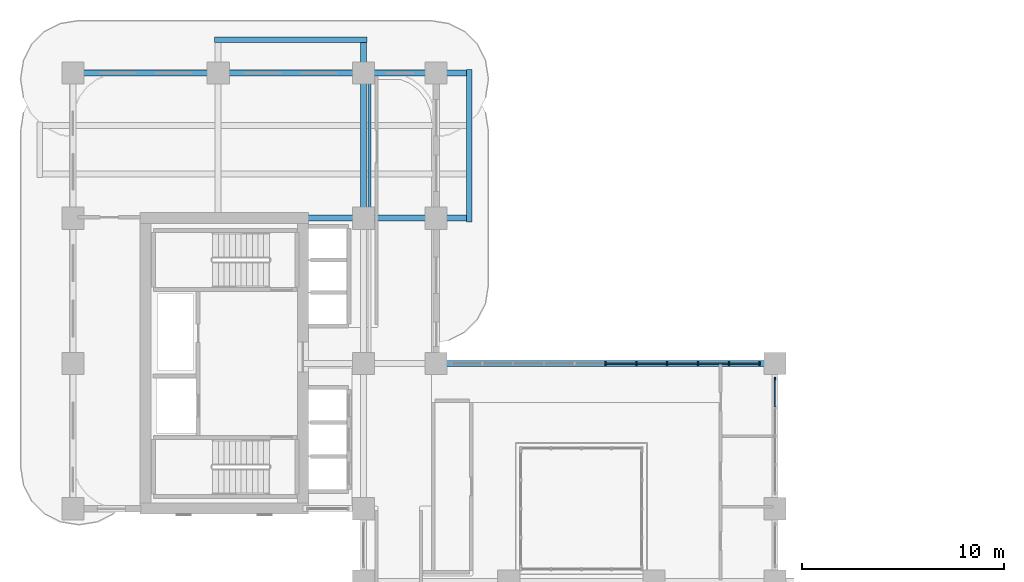
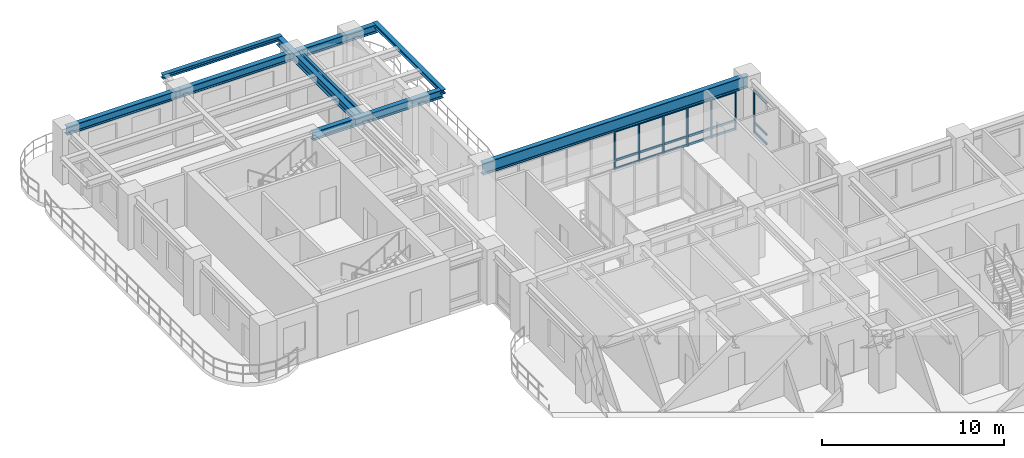
# One storey, part 7 of 22: 25 members, 8 beams, 2 elements without a shape of their own.
"""IFC4 building model written with IfcOpenShell, lengths in metres."""

from ifc_helpers import new_model, si_unit, derived_unit, direction, frame, origin, origin_2d, place, context, subcontext, project, spatial, rectangle, i_section, extrude, source, transform, mapped, material, layer, layer_set, material_profile, profile_set, type_object, type_shapes, element, aggregate, save


model = new_model("IFC4")

# Units and contexts
model_context = context("Model", 3, precision=1e-05, world=origin(), true_north=direction((0.0, 1.0)))
body_context = subcontext(model_context, "Body", "Model", "MODEL_VIEW")
ifc_project = project(units=[si_unit("LENGTHUNIT", "METRE"), si_unit("AREAUNIT", "SQUARE_METRE"), si_unit("VOLUMEUNIT", "CUBIC_METRE"), si_unit("PLANEANGLEUNIT", "RADIAN"), si_unit("MASSUNIT", "GRAM", prefix="KILO"), si_unit("THERMODYNAMICTEMPERATUREUNIT", "KELVIN"), si_unit("POWERUNIT", "WATT"), derived_unit("THERMALTRANSMITTANCEUNIT", [(si_unit("POWERUNIT", "WATT"), 1), (si_unit("AREAUNIT", "SQUARE_METRE"), -1), (si_unit("THERMODYNAMICTEMPERATUREUNIT", "KELVIN"), -1)])], contexts=[model_context])

# Site, building, storey
site_placement = place(None, origin())
site = spatial("IfcSite", under=ifc_project, at=site_placement, CompositionType="ELEMENT")
building_placement = place(site_placement, origin())
building = spatial("IfcBuilding", under=site, at=building_placement, Name="Zahravan Archway Hotel and Residences", CompositionType="ELEMENT")
storey_placement = place(building_placement, frame((0.0, 0.0, 99.0)))
storey = spatial("IfcBuildingStorey", under=building, at=storey_placement, Name="L24", CompositionType="ELEMENT", Elevation=99.0)

# Beams
ifc_material_1 = material(Name="Structural Steel S355JR", Category="steel")
ifc_material_profile_1 = material_profile(ifc_material_1, i_section(OverallWidth=0.280029296875, OverallDepth=0.280029296875, WebThickness=0.010498046875, FlangeThickness=0.01806640625, FilletRadius=0.02392578125, at=origin_2d()), Name="HEB 280", Category="steel")
ifc_profile_set_1 = profile_set([ifc_material_profile_1], Name="Structural Steel S355JR")
beam_type_1 = type_object("IfcBeamType", Name="BM-SPN-HEB280", PredefinedType="SPANDREL", material=ifc_profile_set_1)
shared_shape_1 = source(origin(), body_context, "Body", "SweptSolid", [
    extrude(i_section(OverallWidth=0.280029296875, OverallDepth=0.280029296875, WebThickness=0.010498046875, FlangeThickness=0.01806640625, FilletRadius=0.02392578125, at=origin_2d()), origin(), (0.0, 0.0, 1.0), 7.56005859375),
])
type_shapes(beam_type_1, [shared_shape_1])
for number, where, z_axis, x_axis, name in (
    (1, (19.64990234375, 39.419921875, 3.31005859375), (0.0, 1.0, 0.0), (-1.0, 0.0, 0.0), "L25 EB Balcony Edge Spandrel"),
    (2, (7.02001953125, 48.449951171875, 3.31005859375), (1.0, 0.0, 0.0), (0.0, 1.0, 0.0), "L25 NB Balcony Edge Spandrel"),
):
    element("IfcBeam", number, at=place(storey_placement, frame(where, z_axis=z_axis, x_axis=x_axis)), inside=storey, type_object=beam_type_1, Name=name, PredefinedType="SPANDREL", context=body_context, shape_type="MappedRepresentation", body=[
        mapped(shared_shape_1, transform((0.0, 0.0, 0.0), scale=1.0)),
    ])
ifc_material_profile_2 = material_profile(ifc_material_1, i_section(OverallWidth=0.300048828125, OverallDepth=0.550048828125, WebThickness=0.014892578125, FlangeThickness=0.029052734375, FilletRadius=0.027099609375, at=origin_2d()), Name="HEB 550", Category="steel")
ifc_profile_set_2 = profile_set([ifc_material_profile_2], Name="Structural Steel S355JR")
beam_type_2 = type_object("IfcBeamType", Name="BM-PRI-HEB550", PredefinedType="BEAM", material=ifc_profile_set_2)
shared_shape_2 = source(origin(), body_context, "Body", "SweptSolid", [
    extrude(i_section(OverallWidth=0.300048828125, OverallDepth=0.550048828125, WebThickness=0.014892578125, FlangeThickness=0.029052734375, FilletRadius=0.027099609375, at=origin_2d()), origin(), (0.0, 0.0, 1.0), 7.199951171875),
])
beam_1_placement = place(storey_placement, frame((0.0, 46.800048828125, 3.175048828125), z_axis=(1.0, 0.0, 0.0), x_axis=(0.0, 1.0, 0.0)))
element("IfcBeam", 3, at=beam_1_placement, inside=storey, type_object=beam_type_2, Name="L24 Primary Girder EW-24", PredefinedType="BEAM", context=body_context, shape_type="MappedRepresentation", body=[
    mapped(shared_shape_2, transform((0.0, 0.0, 0.0), scale=1.0)),
])
shared_shape_3 = source(origin(), body_context, "Body", "SweptSolid", [
    extrude(i_section(OverallWidth=0.300048828125, OverallDepth=0.550048828125, WebThickness=0.014892578125, FlangeThickness=0.029052734375, FilletRadius=0.027099609375, at=origin_2d()), origin(), (0.0, 0.0, 1.0), 8.25),
])
beam_2_placement = place(storey_placement, frame((11.39990234375, 39.60009765625, 3.175048828125), z_axis=(1.0, 0.0, 0.0), x_axis=(0.0, 1.0, 0.0)))
element("IfcBeam", 4, at=beam_2_placement, inside=storey, type_object=beam_type_2, Name="L24 Primary Girder EW-23", PredefinedType="BEAM", context=body_context, shape_type="MappedRepresentation", body=[
    mapped(shared_shape_3, transform((0.0, 0.0, 0.0), scale=1.0)),
])
shared_shape_4 = source(origin(), body_context, "Body", "SweptSolid", [
    extrude(i_section(OverallWidth=0.300048828125, OverallDepth=0.550048828125, WebThickness=0.014892578125, FlangeThickness=0.029052734375, FilletRadius=0.027099609375, at=origin_2d()), origin(), (0.0, 0.0, 1.0), 12.449951171875),
])
beam_3_placement = place(storey_placement, frame((7.199951171875, 46.800048828125, 3.175048828125), z_axis=(1.0, 0.0, 0.0), x_axis=(0.0, 1.0, 0.0)))
element("IfcBeam", 5, at=beam_3_placement, inside=storey, type_object=beam_type_2, Name="L24 Primary Girder EW-25", PredefinedType="BEAM", context=body_context, shape_type="MappedRepresentation", body=[
    mapped(shared_shape_4, transform((0.0, 0.0, 0.0), scale=1.0)),
])
shared_shape_5 = source(origin(), body_context, "Body", "SweptSolid", [
    extrude(i_section(OverallWidth=0.300048828125, OverallDepth=0.550048828125, WebThickness=0.014892578125, FlangeThickness=0.029052734375, FilletRadius=0.027099609375, at=origin_2d()), origin(), (0.0, 0.0, 1.0), 8.849853515625),
])
beam_4_placement = place(storey_placement, frame((14.39990234375, 39.60009765625, 3.175048828125), z_axis=(0.0, 1.0, 0.0), x_axis=(-1.0, 0.0, 0.0)))
element("IfcBeam", 6, at=beam_4_placement, inside=storey, type_object=beam_type_2, Name="L24 Primary Girder NS-38", PredefinedType="BEAM", context=body_context, shape_type="MappedRepresentation", body=[
    mapped(shared_shape_5, transform((0.0, 0.0, 0.0), scale=1.0)),
])
ifc_material_2 = material(Name="Structural Steel S355J2", Category="steel")
ifc_material_profile_3 = material_profile(ifc_material_2, i_section(OverallWidth=0.300048828125, OverallDepth=0.800048828125, WebThickness=0.017578125, FlangeThickness=0.032958984375, FilletRadius=0.030029296875, at=origin_2d()), Name="HEB 800", Category="steel")
ifc_profile_set_3 = profile_set([ifc_material_profile_3], Name="Structural Steel S355J2")
beam_type_3 = type_object("IfcBeamType", Name="BM-PRI-HEB800", PredefinedType="BEAM", material=ifc_profile_set_3)
shared_shape_6 = source(origin(), body_context, "Body", "SweptSolid", [
    extrude(i_section(OverallWidth=0.300048828125, OverallDepth=0.800048828125, WebThickness=0.017578125, FlangeThickness=0.032958984375, FilletRadius=0.030029296875, at=origin_2d()), origin(), (0.0, 0.0, 1.0), 16.800048828125),
])
type_shapes(beam_type_3, [shared_shape_6])
beam_5_placement = place(storey_placement, frame((18.0, 32.39990234375, 3.050048828125), z_axis=(1.0, 0.0, 0.0), x_axis=(0.0, 1.0, 0.0)))
element("IfcBeam", 7, at=beam_5_placement, inside=storey, type_object=beam_type_3, Name="L24 Primary Girder EW-22", PredefinedType="BEAM", context=body_context, shape_type="MappedRepresentation", body=[
    mapped(shared_shape_6, transform((0.0, 0.0, 0.0), scale=1.0)),
])
ifc_material_profile_4 = material_profile(ifc_material_1, i_section(OverallWidth=0.169921875, OverallDepth=0.360107421875, WebThickness=0.008056640625, FlangeThickness=0.0126953125, FilletRadius=0.01806640625, at=origin_2d()), Name="IPE 360", Category="steel")
ifc_profile_set_4 = profile_set([ifc_material_profile_4], Name="Structural Steel S355JR")
beam_type_4 = type_object("IfcBeamType", Name="BM-JST-IPE360", PredefinedType="JOIST", material=ifc_profile_set_4)
shared_shape_7 = source(origin(), body_context, "Body", "SweptSolid", [
    extrude(i_section(OverallWidth=0.169921875, OverallDepth=0.360107421875, WebThickness=0.008056640625, FlangeThickness=0.0126953125, FilletRadius=0.01806640625, at=origin_2d()), origin(), (0.0, 0.0, 1.0), 6.904052734375),
])
type_shapes(beam_type_4, [shared_shape_7])
beam_6_placement = place(storey_placement, frame((14.699951171875, 39.748046875, 3.27001953125), z_axis=(0.0, 1.0, 0.0), x_axis=(-1.0, 0.0, 0.0)))
element("IfcBeam", 8, at=beam_6_placement, inside=storey, type_object=beam_type_4, Name="L24 Composite Floor Joist 14", PredefinedType="JOIST", context=body_context, shape_type="MappedRepresentation", body=[
    mapped(shared_shape_7, transform((0.0, 0.0, 0.0), scale=1.0)),
])

# Curtain wall, members
ifc_material_3 = material(Name="Bronze-Anodized Unitised Aluminium & Low-E Glass", Category="aluminium")
ifc_layer = layer(ifc_material_3, 0.179931640625, Name="Bronze-Anodized Unitised Aluminium & Low-E Glass", Category="aluminium")
ifc_layer_set = layer_set([ifc_layer], Name="Bronze-Anodized Unitised Aluminium & Low-E Glass")
curtain_wall_type = type_object("IfcCurtainWallType", Name="CW-TWR-FEAT", PredefinedType="NOTDEFINED", material=ifc_layer_set)
curtain_wall_1_placement = place(storey_placement, origin())
curtain_wall_1 = element("IfcCurtainWall", 9, at=curtain_wall_1_placement, inside=storey, type_object=curtain_wall_type, Name="L24 Curtain Wall CW-L24-HNG-E-2", PredefinedType="NOTDEFINED")
ifc_material_4 = material(Name="Bronze-Anodized Extruded Aluminium", Category="aluminium")
ifc_material_profile_5 = material_profile(ifc_material_4, rectangle(XDim=0.080078125, YDim=0.139892578125, at=origin_2d()), Name="TRN 80x140", Category="aluminium")
ifc_profile_set_5 = profile_set([ifc_material_profile_5], Name="Bronze-Anodized Extruded Aluminium")
member_type_1 = type_object("IfcMemberType", Name="CWM-TRN-140", PredefinedType="USERDEFINED", material=ifc_profile_set_5)
shared_shape_8 = source(origin(), body_context, "Body", "SweptSolid", [
    extrude(rectangle(XDim=0.080078125, YDim=0.139892578125, at=origin_2d()), origin(), (0.0, 0.0, 1.0), 1.340087890625),
])
member_1_placement = place(storey_placement, frame((34.800048828125, 30.260009765625, 0.070068359375), z_axis=(0.0, 1.0, 0.0), x_axis=(-1.0, 0.0, 0.0)))
member_1 = element("IfcMember", 10, at=member_1_placement, type_object=member_type_1, Name="CW-L24-HNG-E-2 Transom 3-1", ObjectType="TRANSOM", PredefinedType="USERDEFINED", context=body_context, shape_type="MappedRepresentation", body=[
    mapped(shared_shape_8, transform((0.0, 0.0, 0.0), scale=1.0)),
])
member_2_placement = place(storey_placement, frame((34.800048828125, 30.260009765625, 0.6923828125), z_axis=(0.0, 1.0, 0.0), x_axis=(-1.0, 0.0, 0.0)))
member_2 = element("IfcMember", 11, at=member_2_placement, type_object=member_type_1, Name="CW-L24-HNG-E-2 Transom 3-2", ObjectType="TRANSOM", PredefinedType="USERDEFINED", context=body_context, shape_type="MappedRepresentation", body=[
    mapped(shared_shape_8, transform((0.0, 0.0, 0.0), scale=1.0)),
])
member_3_placement = place(storey_placement, frame((34.800048828125, 30.260009765625, 2.81494140625), z_axis=(0.0, 1.0, 0.0), x_axis=(-1.0, 0.0, 0.0)))
member_3 = element("IfcMember", 12, at=member_3_placement, type_object=member_type_1, Name="CW-L24-HNG-E-2 Transom 3-3", ObjectType="TRANSOM", PredefinedType="USERDEFINED", context=body_context, shape_type="MappedRepresentation", body=[
    mapped(shared_shape_8, transform((0.0, 0.0, 0.0), scale=1.0)),
])
ifc_material_profile_6 = material_profile(ifc_material_4, rectangle(XDim=0.080078125, YDim=0.159912109375, at=origin_2d()), Name="MUL 80x160", Category="aluminium")
ifc_profile_set_6 = profile_set([ifc_material_profile_6], Name="Bronze-Anodized Extruded Aluminium")
member_type_2 = type_object("IfcMemberType", Name="CWM-MUL-160", PredefinedType="MULLION", material=ifc_profile_set_6)
shared_shape_9 = source(origin(), body_context, "Body", "SweptSolid", [
    extrude(rectangle(XDim=0.080078125, YDim=0.159912109375, at=origin_2d()), origin(), (0.0, 0.0, 1.0), 2.885009765625),
])
member_4_placement = place(storey_placement, frame((34.800048828125, 31.639892578125, 0.0), z_axis=(0.0, 0.0, 1.0), x_axis=(1.0, 0.0, 0.0)))
member_4 = element("IfcMember", 13, at=member_4_placement, type_object=member_type_2, Name="CW-L24-HNG-E-2 Mullion 4", PredefinedType="MULLION", context=body_context, shape_type="MappedRepresentation", body=[
    mapped(shared_shape_9, transform((0.0, 0.0, 0.0), scale=1.0)),
])
aggregate(curtain_wall_1, [member_4, member_1, member_2, member_3])

curtain_wall_2_placement = place(storey_placement, origin())
curtain_wall_2 = element("IfcCurtainWall", 14, at=curtain_wall_2_placement, inside=storey, type_object=curtain_wall_type, Name="L24 Curtain Wall CW-L24-HNG-N-1", PredefinedType="NOTDEFINED")
shared_shape_10 = source(origin(), body_context, "Body", "SweptSolid", [
    extrude(rectangle(XDim=0.080078125, YDim=0.159912109375, at=origin_2d()), origin(), (0.0, 0.0, 1.0), 2.635009765625),
])
member_5_placement = place(storey_placement, frame((26.39990234375, 32.39990234375, 0.0), z_axis=(0.0, 0.0, 1.0), x_axis=(1.0, 0.0, 0.0)))
member_5 = element("IfcMember", 15, at=member_5_placement, type_object=member_type_2, Name="CW-L24-HNG-N-1 Mullion 5", PredefinedType="MULLION", context=body_context, shape_type="MappedRepresentation", body=[
    mapped(shared_shape_10, transform((0.0, 0.0, 0.0), scale=1.0)),
])
member_6_placement = place(storey_placement, frame((27.927978515625, 32.39990234375, 0.0), z_axis=(0.0, 0.0, 1.0), x_axis=(1.0, 0.0, 0.0)))
member_6 = element("IfcMember", 16, at=member_6_placement, type_object=member_type_2, Name="CW-L24-HNG-N-1 Mullion 6", PredefinedType="MULLION", context=body_context, shape_type="MappedRepresentation", body=[
    mapped(shared_shape_10, transform((0.0, 0.0, 0.0), scale=1.0)),
])
member_7_placement = place(storey_placement, frame((29.4560546875, 32.39990234375, 0.0), z_axis=(0.0, 0.0, 1.0), x_axis=(1.0, 0.0, 0.0)))
member_7 = element("IfcMember", 17, at=member_7_placement, type_object=member_type_2, Name="CW-L24-HNG-N-1 Mullion 7", PredefinedType="MULLION", context=body_context, shape_type="MappedRepresentation", body=[
    mapped(shared_shape_10, transform((0.0, 0.0, 0.0), scale=1.0)),
])
member_8_placement = place(storey_placement, frame((30.98388671875, 32.39990234375, 0.0), z_axis=(0.0, 0.0, 1.0), x_axis=(1.0, 0.0, 0.0)))
member_8 = element("IfcMember", 18, at=member_8_placement, type_object=member_type_2, Name="CW-L24-HNG-N-1 Mullion 8", PredefinedType="MULLION", context=body_context, shape_type="MappedRepresentation", body=[
    mapped(shared_shape_10, transform((0.0, 0.0, 0.0), scale=1.0)),
])
member_9_placement = place(storey_placement, frame((32.511962890625, 32.39990234375, 0.0), z_axis=(0.0, 0.0, 1.0), x_axis=(1.0, 0.0, 0.0)))
member_9 = element("IfcMember", 19, at=member_9_placement, type_object=member_type_2, Name="CW-L24-HNG-N-1 Mullion 9", PredefinedType="MULLION", context=body_context, shape_type="MappedRepresentation", body=[
    mapped(shared_shape_10, transform((0.0, 0.0, 0.0), scale=1.0)),
])
member_10_placement = place(storey_placement, frame((34.0400390625, 32.39990234375, 0.0), z_axis=(0.0, 0.0, 1.0), x_axis=(1.0, 0.0, 0.0)))
member_10 = element("IfcMember", 20, at=member_10_placement, type_object=member_type_2, Name="CW-L24-HNG-N-1 Mullion 10", PredefinedType="MULLION", context=body_context, shape_type="MappedRepresentation", body=[
    mapped(shared_shape_10, transform((0.0, 0.0, 0.0), scale=1.0)),
])
shared_shape_11 = source(origin(), body_context, "Body", "SweptSolid", [
    extrude(rectangle(XDim=0.080078125, YDim=0.139892578125, at=origin_2d()), origin(), (0.0, 0.0, 1.0), 1.447998046875),
])
member_11_placement = place(storey_placement, frame((26.43994140625, 32.39990234375, 0.070068359375), z_axis=(1.0, 0.0, 0.0), x_axis=(0.0, 1.0, 0.0)))
member_11 = element("IfcMember", 21, at=member_11_placement, type_object=member_type_1, Name="CW-L24-HNG-N-1 Transom 5-1", ObjectType="TRANSOM", PredefinedType="USERDEFINED", context=body_context, shape_type="MappedRepresentation", body=[
    mapped(shared_shape_11, transform((0.0, 0.0, 0.0), scale=1.0)),
])
member_12_placement = place(storey_placement, frame((26.43994140625, 32.39990234375, 0.63232421875), z_axis=(1.0, 0.0, 0.0), x_axis=(0.0, 1.0, 0.0)))
member_12 = element("IfcMember", 22, at=member_12_placement, type_object=member_type_1, Name="CW-L24-HNG-N-1 Transom 5-2", ObjectType="TRANSOM", PredefinedType="USERDEFINED", context=body_context, shape_type="MappedRepresentation", body=[
    mapped(shared_shape_11, transform((0.0, 0.0, 0.0), scale=1.0)),
])
member_13_placement = place(storey_placement, frame((26.43994140625, 32.39990234375, 2.56494140625), z_axis=(1.0, 0.0, 0.0), x_axis=(0.0, 1.0, 0.0)))
member_13 = element("IfcMember", 23, at=member_13_placement, type_object=member_type_1, Name="CW-L24-HNG-N-1 Transom 5-3", ObjectType="TRANSOM", PredefinedType="USERDEFINED", context=body_context, shape_type="MappedRepresentation", body=[
    mapped(shared_shape_11, transform((0.0, 0.0, 0.0), scale=1.0)),
])
member_14_placement = place(storey_placement, frame((27.968017578125, 32.39990234375, 0.070068359375), z_axis=(1.0, 0.0, 0.0), x_axis=(0.0, 1.0, 0.0)))
member_14 = element("IfcMember", 24, at=member_14_placement, type_object=member_type_1, Name="CW-L24-HNG-N-1 Transom 6-1", ObjectType="TRANSOM", PredefinedType="USERDEFINED", context=body_context, shape_type="MappedRepresentation", body=[
    mapped(shared_shape_11, transform((0.0, 0.0, 0.0), scale=1.0)),
])
member_15_placement = place(storey_placement, frame((27.968017578125, 32.39990234375, 0.63232421875), z_axis=(1.0, 0.0, 0.0), x_axis=(0.0, 1.0, 0.0)))
member_15 = element("IfcMember", 25, at=member_15_placement, type_object=member_type_1, Name="CW-L24-HNG-N-1 Transom 6-2", ObjectType="TRANSOM", PredefinedType="USERDEFINED", context=body_context, shape_type="MappedRepresentation", body=[
    mapped(shared_shape_11, transform((0.0, 0.0, 0.0), scale=1.0)),
])
member_16_placement = place(storey_placement, frame((27.968017578125, 32.39990234375, 2.56494140625), z_axis=(1.0, 0.0, 0.0), x_axis=(0.0, 1.0, 0.0)))
member_16 = element("IfcMember", 26, at=member_16_placement, type_object=member_type_1, Name="CW-L24-HNG-N-1 Transom 6-3", ObjectType="TRANSOM", PredefinedType="USERDEFINED", context=body_context, shape_type="MappedRepresentation", body=[
    mapped(shared_shape_11, transform((0.0, 0.0, 0.0), scale=1.0)),
])
member_17_placement = place(storey_placement, frame((29.49609375, 32.39990234375, 0.070068359375), z_axis=(1.0, 0.0, 0.0), x_axis=(0.0, 1.0, 0.0)))
member_17 = element("IfcMember", 27, at=member_17_placement, type_object=member_type_1, Name="CW-L24-HNG-N-1 Transom 7-1", ObjectType="TRANSOM", PredefinedType="USERDEFINED", context=body_context, shape_type="MappedRepresentation", body=[
    mapped(shared_shape_11, transform((0.0, 0.0, 0.0), scale=1.0)),
])
member_18_placement = place(storey_placement, frame((29.49609375, 32.39990234375, 0.63232421875), z_axis=(1.0, 0.0, 0.0), x_axis=(0.0, 1.0, 0.0)))
member_18 = element("IfcMember", 28, at=member_18_placement, type_object=member_type_1, Name="CW-L24-HNG-N-1 Transom 7-2", ObjectType="TRANSOM", PredefinedType="USERDEFINED", context=body_context, shape_type="MappedRepresentation", body=[
    mapped(shared_shape_11, transform((0.0, 0.0, 0.0), scale=1.0)),
])
member_19_placement = place(storey_placement, frame((29.49609375, 32.39990234375, 2.56494140625), z_axis=(1.0, 0.0, 0.0), x_axis=(0.0, 1.0, 0.0)))
member_19 = element("IfcMember", 29, at=member_19_placement, type_object=member_type_1, Name="CW-L24-HNG-N-1 Transom 7-3", ObjectType="TRANSOM", PredefinedType="USERDEFINED", context=body_context, shape_type="MappedRepresentation", body=[
    mapped(shared_shape_11, transform((0.0, 0.0, 0.0), scale=1.0)),
])
member_20_placement = place(storey_placement, frame((31.02392578125, 32.39990234375, 0.070068359375), z_axis=(1.0, 0.0, 0.0), x_axis=(0.0, 1.0, 0.0)))
member_20 = element("IfcMember", 30, at=member_20_placement, type_object=member_type_1, Name="CW-L24-HNG-N-1 Transom 8-1", ObjectType="TRANSOM", PredefinedType="USERDEFINED", context=body_context, shape_type="MappedRepresentation", body=[
    mapped(shared_shape_11, transform((0.0, 0.0, 0.0), scale=1.0)),
])
member_21_placement = place(storey_placement, frame((31.02392578125, 32.39990234375, 0.63232421875), z_axis=(1.0, 0.0, 0.0), x_axis=(0.0, 1.0, 0.0)))
member_21 = element("IfcMember", 31, at=member_21_placement, type_object=member_type_1, Name="CW-L24-HNG-N-1 Transom 8-2", ObjectType="TRANSOM", PredefinedType="USERDEFINED", context=body_context, shape_type="MappedRepresentation", body=[
    mapped(shared_shape_11, transform((0.0, 0.0, 0.0), scale=1.0)),
])
member_22_placement = place(storey_placement, frame((31.02392578125, 32.39990234375, 2.56494140625), z_axis=(1.0, 0.0, 0.0), x_axis=(0.0, 1.0, 0.0)))
member_22 = element("IfcMember", 32, at=member_22_placement, type_object=member_type_1, Name="CW-L24-HNG-N-1 Transom 8-3", ObjectType="TRANSOM", PredefinedType="USERDEFINED", context=body_context, shape_type="MappedRepresentation", body=[
    mapped(shared_shape_11, transform((0.0, 0.0, 0.0), scale=1.0)),
])
member_23_placement = place(storey_placement, frame((32.552001953125, 32.39990234375, 0.070068359375), z_axis=(1.0, 0.0, 0.0), x_axis=(0.0, 1.0, 0.0)))
member_23 = element("IfcMember", 33, at=member_23_placement, type_object=member_type_1, Name="CW-L24-HNG-N-1 Transom 9-1", ObjectType="TRANSOM", PredefinedType="USERDEFINED", context=body_context, shape_type="MappedRepresentation", body=[
    mapped(shared_shape_11, transform((0.0, 0.0, 0.0), scale=1.0)),
])
member_24_placement = place(storey_placement, frame((32.552001953125, 32.39990234375, 0.63232421875), z_axis=(1.0, 0.0, 0.0), x_axis=(0.0, 1.0, 0.0)))
member_24 = element("IfcMember", 34, at=member_24_placement, type_object=member_type_1, Name="CW-L24-HNG-N-1 Transom 9-2", ObjectType="TRANSOM", PredefinedType="USERDEFINED", context=body_context, shape_type="MappedRepresentation", body=[
    mapped(shared_shape_11, transform((0.0, 0.0, 0.0), scale=1.0)),
])
member_25_placement = place(storey_placement, frame((32.552001953125, 32.39990234375, 2.56494140625), z_axis=(1.0, 0.0, 0.0), x_axis=(0.0, 1.0, 0.0)))
member_25 = element("IfcMember", 35, at=member_25_placement, type_object=member_type_1, Name="CW-L24-HNG-N-1 Transom 9-3", ObjectType="TRANSOM", PredefinedType="USERDEFINED", context=body_context, shape_type="MappedRepresentation", body=[
    mapped(shared_shape_11, transform((0.0, 0.0, 0.0), scale=1.0)),
])
aggregate(curtain_wall_2, [member_5, member_6, member_7, member_8, member_9, member_10, member_11, member_12, member_13, member_14, member_15, member_16, member_17, member_18, member_19, member_20, member_21, member_22, member_23, member_24, member_25])

save(model, "model.ifc")
